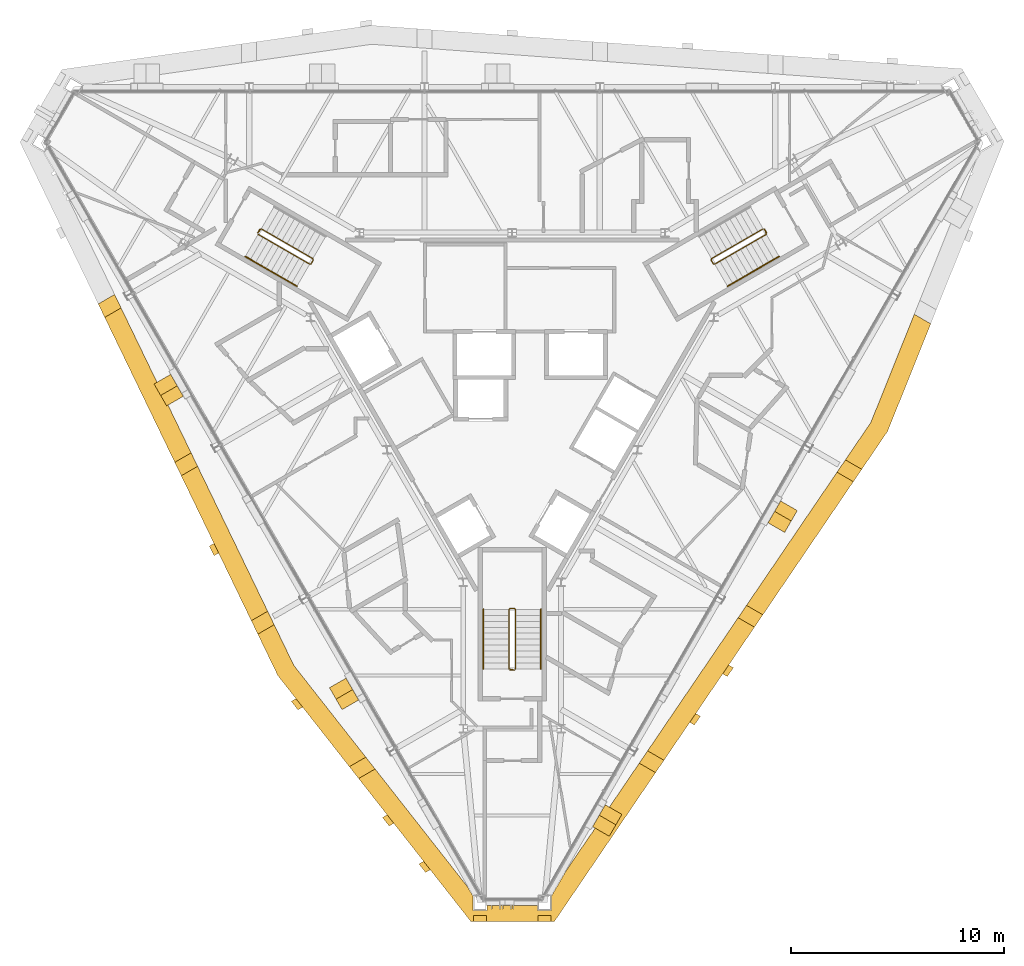
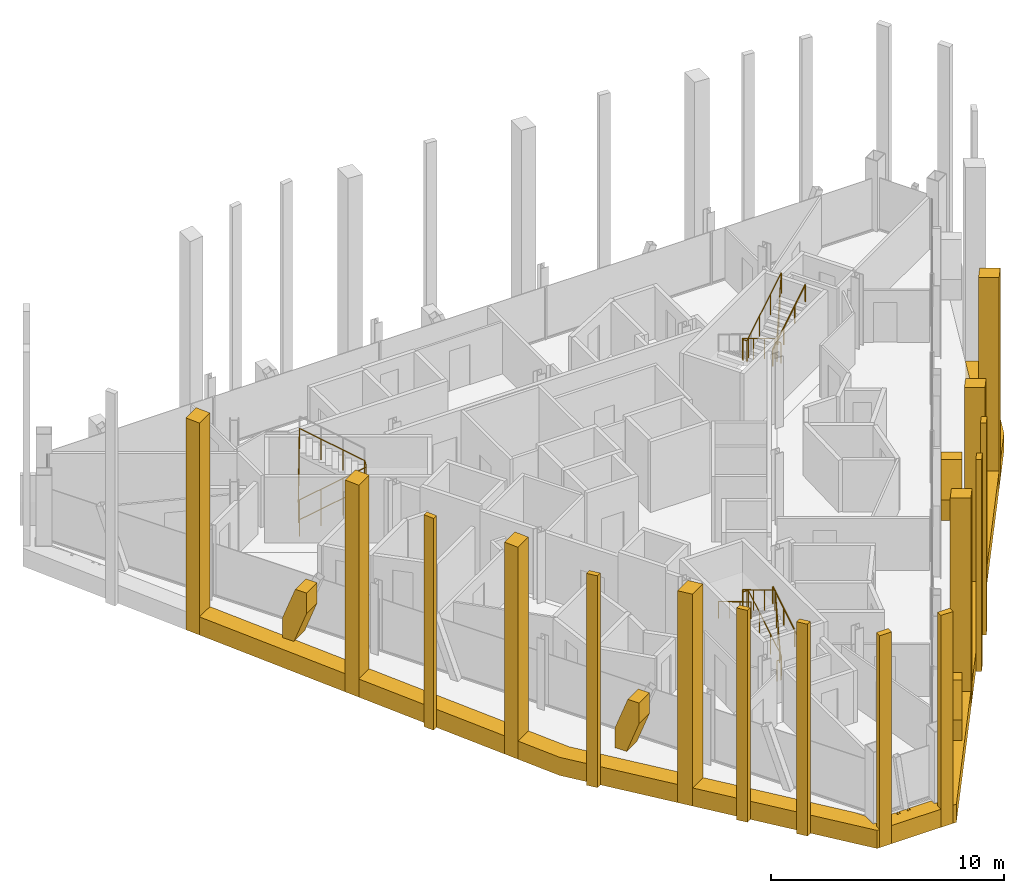
# One storey, part 14 of 15: 26 coverings, 7 railings.
"""IFC4 building model written with IfcOpenShell, lengths in metres."""

from ifc_helpers import new_model, si_unit, direction, frame, origin, origin_2d, place, context, subcontext, project, spatial, polyline, circle, outline, extrude, material, layer, layer_set, type_object, element, save


model = new_model("IFC4")

# Units and contexts
model_context = context("Model", 3, precision=1e-05, world=origin(), true_north=direction((0.0, 1.0)))
body_context = subcontext(model_context, "Body", "Model", "MODEL_VIEW")
ifc_project = project(units=[si_unit("LENGTHUNIT", "METRE"), si_unit("AREAUNIT", "SQUARE_METRE"), si_unit("VOLUMEUNIT", "CUBIC_METRE"), si_unit("PLANEANGLEUNIT", "RADIAN"), si_unit("MASSUNIT", "GRAM", prefix="KILO")], contexts=[model_context])

# Site, building, storey
site_placement = place(None, origin())
site = spatial("IfcSite", under=ifc_project, at=site_placement, CompositionType="ELEMENT")
building_placement = place(site_placement, origin())
building = spatial("IfcBuilding", under=site, at=building_placement, Name="Verrane Prism Tower", CompositionType="ELEMENT")
storey_placement = place(building_placement, frame((0.0, 0.0, 297.300048828125)))
storey = spatial("IfcBuildingStorey", under=building, at=storey_placement, Name="L75", CompositionType="ELEMENT", Elevation=297.300048828125)

# Railings
ifc_material_1 = material(Name="Steel A36 rail and posts, no infill", Category="steel")
railing_type_1 = type_object("IfcRailingType", Name="Stair guard 1100 steel rail and posts", PredefinedType="GUARDRAIL", material=ifc_material_1)
railing_1_placement = place(storey_placement, frame((11.78955078125, 6.97998046875, 0.168212890625)))
element("IfcRailing", 1, at=railing_1_placement, inside=storey, type_object=railing_type_1, Name="Stair 1 guard", PredefinedType="GUARDRAIL", context=body_context, shape_type="SweptSolid", body=[
    extrude(circle(Radius=0.02392578125, at=origin_2d()), frame((0.0, 0.0, 1.076171875), z_axis=(-0.742395268701, -0.428678701772, 0.514862928999), x_axis=(0.500049511043, -0.865996816683, 0.0)), (0.0, 0.0, 1.0), 3.26611328125),
    extrude(circle(Radius=0.02392578125, at=origin_2d()), frame((-2.4248046875, -1.400146484375, 2.7578125), z_axis=(-0.259601060869, -0.965715946433, 0.0), x_axis=(0.965715946433, -0.259601060869, 0.0)), (0.0, 0.0, 1.0), 0.070556640625),
    extrude(circle(Radius=0.02392578125, at=origin_2d()), frame((-2.443115234375, -1.46826171875, 2.7578125), z_axis=(0.499158860599, -0.866510491504, 0.0), x_axis=(0.866510491504, 0.499158860599, 0.0)), (0.0, 0.0, 1.0), 0.199951171875),
    extrude(circle(Radius=0.02392578125, at=origin_2d()), frame((-2.34326171875, -1.6416015625, 2.7578125), z_axis=(0.374585375571, -0.100335368456, 0.921747584887), x_axis=(0.258736085224, 0.965948051503, 0.0)), (0.0, 0.0, 1.0), 0.182373046875),
    extrude(circle(Radius=0.02392578125, at=origin_2d()), frame((-2.27490234375, -1.659912109375, 2.92578125), z_axis=(0.742366697286, 0.42866220388, 0.514917859203), x_axis=(-0.500049511043, 0.865996816683, 0.0)), (0.0, 0.0, 1.0), 3.266357421875),
    extrude(circle(Radius=0.02392578125, at=origin_2d()), frame((0.14990234375, -0.259765625, 4.60791015625), z_axis=(-0.021986835041, 0.065104730107, -0.997636182785), x_axis=(-0.947430582667, -0.3199613899, 0.0)), (0.0, 0.0, 1.0), 3.708740234375),
    extrude(circle(Radius=0.02392578125, at=origin_2d()), frame((0.068359375, -0.018310546875, 0.90771484375), z_axis=(0.499158860599, -0.866510491504, 0.0), x_axis=(0.866510491504, 0.499158860599, 0.0)), (0.0, 0.0, 1.0), 0.199951171875),
    extrude(circle(Radius=0.02099609375, at=origin_2d()), origin(), (0.0, 0.0, 1.0), 1.052001953125),
    extrude(circle(Radius=0.02099609375, at=origin_2d()), frame((-0.808349609375, -0.466796875, 0.560546875)), (0.0, 0.0, 1.0), 1.052001953125),
    extrude(circle(Radius=0.02099609375, at=origin_2d()), frame((-1.616455078125, -0.933349609375, 1.12109375)), (0.0, 0.0, 1.0), 1.052001953125),
    extrude(circle(Radius=0.02099609375, at=origin_2d()), frame((-2.4248046875, -1.400146484375, 1.681640625)), (0.0, 0.0, 1.0), 1.052001953125),
    extrude(circle(Radius=0.02099609375, at=origin_2d()), frame((-2.443115234375, -1.46826171875, 1.681640625)), (0.0, 0.0, 1.0), 1.052001953125),
    extrude(circle(Radius=0.02099609375, at=origin_2d()), frame((-2.34326171875, -1.6416015625, 1.681640625)), (0.0, 0.0, 1.0), 1.052001953125),
    extrude(circle(Radius=0.02099609375, at=origin_2d()), frame((-2.27490234375, -1.659912109375, 1.849853515625)), (0.0, 0.0, 1.0), 1.052001953125),
    extrude(circle(Radius=0.02099609375, at=origin_2d()), frame((-1.466552734375, -1.193115234375, 2.410400390625)), (0.0, 0.0, 1.0), 1.052001953125),
    extrude(circle(Radius=0.02099609375, at=origin_2d()), frame((-0.658447265625, -0.7265625, 2.97119140625)), (0.0, 0.0, 1.0), 1.052001953125),
    extrude(circle(Radius=0.02099609375, at=origin_2d()), frame((0.14990234375, -0.259765625, 3.53173828125)), (0.0, 0.0, 1.0), 1.052001953125),
    extrude(circle(Radius=0.02099609375, at=origin_2d()), frame((0.12939453125, -0.199462890625, 2.606689453125)), (0.0, 0.0, 1.0), 1.052001953125),
    extrude(circle(Radius=0.02099609375, at=origin_2d()), frame((0.109130859375, -0.13916015625, 1.681640625)), (0.0, 0.0, 1.0), 1.052001953125),
    extrude(circle(Radius=0.02099609375, at=origin_2d()), frame((0.0888671875, -0.07861328125, 0.7568359375)), (0.0, 0.0, 1.0), 1.052001953125),
    extrude(circle(Radius=0.02099609375, at=origin_2d()), frame((0.068359375, -0.018310546875, -0.168212890625)), (0.0, 0.0, 1.0), 1.052001953125),
    extrude(circle(Radius=0.02099609375, at=origin_2d()), frame((0.168212890625, -0.191650390625, -0.168212890625)), (0.0, 0.0, 1.0), 1.052001953125),
])
railing_2_placement = place(storey_placement, frame((-11.939453125, 6.72021484375, 0.168212890625)))
element("IfcRailing", 2, at=railing_2_placement, inside=storey, type_object=railing_type_1, Name="Stair 2 guard", PredefinedType="GUARDRAIL", context=body_context, shape_type="SweptSolid", body=[
    extrude(circle(Radius=0.02392578125, at=origin_2d()), frame((0.0, 0.0, 1.076171875), z_axis=(0.742395268701, -0.428678701772, 0.514862928999), x_axis=(0.500049511043, 0.865996816683, 0.0)), (0.0, 0.0, 1.0), 3.26611328125),
    extrude(circle(Radius=0.02392578125, at=origin_2d()), frame((2.4248046875, -1.400146484375, 2.7578125), z_axis=(0.965948051503, 0.258736085224, 0.0), x_axis=(-0.258736085224, 0.965948051503, 0.0)), (0.0, 0.0, 1.0), 0.07080078125),
    extrude(circle(Radius=0.02392578125, at=origin_2d()), frame((2.4931640625, -1.3818359375, 2.7578125), z_axis=(0.499158860599, 0.866510491504, 0.0), x_axis=(-0.866510491504, 0.499158860599, 0.0)), (0.0, 0.0, 1.0), 0.199951171875),
    extrude(circle(Radius=0.02392578125, at=origin_2d()), frame((2.593017578125, -1.20849609375, 2.7578125), z_axis=(-0.100385596638, 0.373434419493, 0.922209014446), x_axis=(-0.965715946433, -0.259601060869, 0.0)), (0.0, 0.0, 1.0), 0.182373046875),
    extrude(circle(Radius=0.02392578125, at=origin_2d()), frame((2.57470703125, -1.140380859375, 2.92578125), z_axis=(-0.742366697286, 0.42866220388, 0.514917859203), x_axis=(-0.500049511043, -0.865996816683, 0.0)), (0.0, 0.0, 1.0), 3.266357421875),
    extrude(circle(Radius=0.02392578125, at=origin_2d()), frame((0.14990234375, 0.259765625, 4.60791015625), z_axis=(-0.04535595117, -0.051675503147, -0.99763343973), x_axis=(0.751567565678, -0.659656118156, 0.0)), (0.0, 0.0, 1.0), 3.708740234375),
    extrude(circle(Radius=0.02392578125, at=origin_2d()), frame((-0.018310546875, 0.068115234375, 0.90771484375), z_axis=(0.499158860599, 0.866510491504, 0.0), x_axis=(-0.866510491504, 0.499158860599, 0.0)), (0.0, 0.0, 1.0), 0.199951171875),
    extrude(circle(Radius=0.02099609375, at=origin_2d()), origin(), (0.0, 0.0, 1.0), 1.052001953125),
    extrude(circle(Radius=0.02099609375, at=origin_2d()), frame((0.808349609375, -0.466796875, 0.560546875)), (0.0, 0.0, 1.0), 1.052001953125),
    extrude(circle(Radius=0.02099609375, at=origin_2d()), frame((1.616455078125, -0.933349609375, 1.12109375)), (0.0, 0.0, 1.0), 1.052001953125),
    extrude(circle(Radius=0.02099609375, at=origin_2d()), frame((2.4248046875, -1.400146484375, 1.681640625)), (0.0, 0.0, 1.0), 1.052001953125),
    extrude(circle(Radius=0.02099609375, at=origin_2d()), frame((2.4931640625, -1.3818359375, 1.681640625)), (0.0, 0.0, 1.0), 1.052001953125),
    extrude(circle(Radius=0.02099609375, at=origin_2d()), frame((2.593017578125, -1.20849609375, 1.681640625)), (0.0, 0.0, 1.0), 1.052001953125),
    extrude(circle(Radius=0.02099609375, at=origin_2d()), frame((2.57470703125, -1.140380859375, 1.849853515625)), (0.0, 0.0, 1.0), 1.052001953125),
    extrude(circle(Radius=0.02099609375, at=origin_2d()), frame((1.766357421875, -0.673583984375, 2.410400390625)), (0.0, 0.0, 1.0), 1.052001953125),
    extrude(circle(Radius=0.02099609375, at=origin_2d()), frame((0.958251953125, -0.20703125, 2.97119140625)), (0.0, 0.0, 1.0), 1.052001953125),
    extrude(circle(Radius=0.02099609375, at=origin_2d()), frame((0.14990234375, 0.259765625, 3.53173828125)), (0.0, 0.0, 1.0), 1.052001953125),
    extrude(circle(Radius=0.02099609375, at=origin_2d()), frame((0.10791015625, 0.2119140625, 2.606689453125)), (0.0, 0.0, 1.0), 1.052001953125),
    extrude(circle(Radius=0.02099609375, at=origin_2d()), frame((0.06591796875, 0.1640625, 1.681640625)), (0.0, 0.0, 1.0), 1.052001953125),
    extrude(circle(Radius=0.02099609375, at=origin_2d()), frame((0.023681640625, 0.115966796875, 0.7568359375)), (0.0, 0.0, 1.0), 1.052001953125),
    extrude(circle(Radius=0.02099609375, at=origin_2d()), frame((-0.018310546875, 0.068115234375, -0.168212890625)), (0.0, 0.0, 1.0), 1.052001953125),
    extrude(circle(Radius=0.02099609375, at=origin_2d()), frame((0.08154296875, 0.241455078125, -0.168212890625)), (0.0, 0.0, 1.0), 1.052001953125),
])
railing_3_placement = place(storey_placement, frame((0.14990234375, -13.699951171875, 0.168212890625)))
element("IfcRailing", 3, at=railing_3_placement, inside=storey, type_object=railing_type_1, Name="Stair 3 guard", PredefinedType="GUARDRAIL", context=body_context, shape_type="SweptSolid", body=[
    extrude(circle(Radius=0.02392578125, at=origin_2d()), frame((0.0, 0.0, 1.076171875), z_axis=(0.0, 0.857275202839, 0.514858452973), x_axis=(-1.0, 0.0, 0.0)), (0.0, 0.0, 1.0), 3.26611328125),
    extrude(circle(Radius=0.02392578125, at=origin_2d()), frame((0.0, 2.800048828125, 2.7578125), z_axis=(-0.707106781187, 0.707106781187, 0.0), x_axis=(-0.707106781187, -0.707106781187, 0.0)), (0.0, 0.0, 1.0), 0.0703125),
    extrude(circle(Radius=0.02392578125, at=origin_2d()), frame((-0.0498046875, 2.849853515625, 2.7578125), z_axis=(-1.0, 0.0, 0.0), x_axis=(0.0, -1.0, 0.0)), (0.0, 0.0, 1.0), 0.2001953125),
    extrude(circle(Radius=0.02392578125, at=origin_2d()), frame((-0.25, 2.849853515625, 2.7578125), z_axis=(-0.273106073848, -0.273106073848, 0.922402376869), x_axis=(0.707106781187, -0.707106781187, 0.0)), (0.0, 0.0, 1.0), 0.182373046875),
    extrude(circle(Radius=0.02392578125, at=origin_2d()), frame((-0.2998046875, 2.800048828125, 2.92578125), z_axis=(0.0, -0.857242210791, 0.514913383045), x_axis=(1.0, 0.0, 0.0)), (0.0, 0.0, 1.0), 3.266357421875),
    extrude(circle(Radius=0.02392578125, at=origin_2d()), frame((-0.2998046875, 0.0, 4.60791015625), z_axis=(0.067408604812, -0.013494886706, -0.997634185476), x_axis=(0.196300278283, 0.98054382908, 0.0)), (0.0, 0.0, 1.0), 3.708740234375),
    extrude(circle(Radius=0.02392578125, at=origin_2d()), frame((-0.0498046875, -0.050048828125, 0.90771484375), z_axis=(-1.0, 0.0, 0.0), x_axis=(0.0, -1.0, 0.0)), (0.0, 0.0, 1.0), 0.2001953125),
    extrude(circle(Radius=0.02099609375, at=origin_2d()), origin(), (0.0, 0.0, 1.0), 1.052001953125),
    extrude(circle(Radius=0.02099609375, at=origin_2d()), frame((0.0, 0.933349609375, 0.560546875)), (0.0, 0.0, 1.0), 1.052001953125),
    extrude(circle(Radius=0.02099609375, at=origin_2d()), frame((0.0, 1.86669921875, 1.12109375)), (0.0, 0.0, 1.0), 1.052001953125),
    extrude(circle(Radius=0.02099609375, at=origin_2d()), frame((0.0, 2.800048828125, 1.681640625)), (0.0, 0.0, 1.0), 1.052001953125),
    extrude(circle(Radius=0.02099609375, at=origin_2d()), frame((-0.0498046875, 2.849853515625, 1.681640625)), (0.0, 0.0, 1.0), 1.052001953125),
    extrude(circle(Radius=0.02099609375, at=origin_2d()), frame((-0.25, 2.849853515625, 1.681640625)), (0.0, 0.0, 1.0), 1.052001953125),
    extrude(circle(Radius=0.02099609375, at=origin_2d()), frame((-0.2998046875, 2.800048828125, 1.849853515625)), (0.0, 0.0, 1.0), 1.052001953125),
    extrude(circle(Radius=0.02099609375, at=origin_2d()), frame((-0.2998046875, 1.86669921875, 2.410400390625)), (0.0, 0.0, 1.0), 1.052001953125),
    extrude(circle(Radius=0.02099609375, at=origin_2d()), frame((-0.2998046875, 0.933349609375, 2.97119140625)), (0.0, 0.0, 1.0), 1.052001953125),
    extrude(circle(Radius=0.02099609375, at=origin_2d()), frame((-0.2998046875, 0.0, 3.53173828125)), (0.0, 0.0, 1.0), 1.052001953125),
    extrude(circle(Radius=0.02099609375, at=origin_2d()), frame((-0.2373046875, -0.012451171875, 2.606689453125)), (0.0, 0.0, 1.0), 1.052001953125),
    extrude(circle(Radius=0.02099609375, at=origin_2d()), frame((-0.1748046875, -0.02490234375, 1.681640625)), (0.0, 0.0, 1.0), 1.052001953125),
    extrude(circle(Radius=0.02099609375, at=origin_2d()), frame((-0.1123046875, -0.03759765625, 0.7568359375)), (0.0, 0.0, 1.0), 1.052001953125),
    extrude(circle(Radius=0.02099609375, at=origin_2d()), frame((-0.0498046875, -0.050048828125, -0.168212890625)), (0.0, 0.0, 1.0), 1.052001953125),
    extrude(circle(Radius=0.02099609375, at=origin_2d()), frame((-0.25, -0.050048828125, -0.168212890625)), (0.0, 0.0, 1.0), 1.052001953125),
])
ifc_material_2 = material(Name="Steel A36 tube", Category="steel")
railing_type_2 = type_object("IfcRailingType", Name="Stair handrail 900 steel tube", PredefinedType="HANDRAIL", material=ifc_material_2)
railing_4_placement = place(storey_placement, frame((10.11474609375, 4.28076171875, 2.01806640625)))
element("IfcRailing", 4, at=railing_4_placement, inside=storey, type_object=railing_type_2, Name="Stair 1 handrail", PredefinedType="HANDRAIL", context=body_context, shape_type="SweptSolid", body=[
    extrude(circle(Radius=0.02392578125, at=origin_2d()), frame((0.0, 0.0, 0.8759765625), z_axis=(0.742366697286, 0.42866220388, 0.514917859203), x_axis=(-0.500049511043, 0.865996816683, 0.0)), (0.0, 0.0, 1.0), 3.266357421875),
    extrude(circle(Radius=0.02099609375, at=origin_2d()), origin(), (0.0, 0.0, 1.0), 0.851806640625),
    extrude(circle(Radius=0.02099609375, at=origin_2d()), frame((0.808349609375, 0.466796875, 0.560546875)), (0.0, 0.0, 1.0), 0.851806640625),
    extrude(circle(Radius=0.02099609375, at=origin_2d()), frame((1.616455078125, 0.933349609375, 1.121337890625)), (0.0, 0.0, 1.0), 0.851806640625),
    extrude(circle(Radius=0.02099609375, at=origin_2d()), frame((2.4248046875, 1.400146484375, 1.681884765625)), (0.0, 0.0, 1.0), 0.851806640625),
])
railing_5_placement = place(storey_placement, frame((-12.53955078125, 5.680908203125, 0.168212890625)))
element("IfcRailing", 5, at=railing_5_placement, inside=storey, type_object=railing_type_2, Name="Stair 2 handrail", PredefinedType="HANDRAIL", context=body_context, shape_type="SweptSolid", body=[
    extrude(circle(Radius=0.02392578125, at=origin_2d()), frame((0.0, 0.0, 0.8759765625), z_axis=(0.742395268701, -0.428678701772, 0.514862928999), x_axis=(0.500049511043, 0.865996816683, 0.0)), (0.0, 0.0, 1.0), 3.26611328125),
    extrude(circle(Radius=0.02099609375, at=origin_2d()), origin(), (0.0, 0.0, 1.0), 0.851806640625),
    extrude(circle(Radius=0.02099609375, at=origin_2d()), frame((0.808349609375, -0.466796875, 0.560546875)), (0.0, 0.0, 1.0), 0.851806640625),
    extrude(circle(Radius=0.02099609375, at=origin_2d()), frame((1.616455078125, -0.933349609375, 1.12109375)), (0.0, 0.0, 1.0), 0.851806640625),
    extrude(circle(Radius=0.02099609375, at=origin_2d()), frame((2.4248046875, -1.400146484375, 1.681640625)), (0.0, 0.0, 1.0), 0.851806640625),
])
railing_6_placement = place(storey_placement, frame((1.35009765625, -13.699951171875, 0.168212890625)))
element("IfcRailing", 6, at=railing_6_placement, inside=storey, type_object=railing_type_2, Name="Stair 3 handrail", PredefinedType="HANDRAIL", context=body_context, shape_type="SweptSolid", body=[
    extrude(circle(Radius=0.02392578125, at=origin_2d()), frame((0.0, 0.0, 0.8759765625), z_axis=(0.0, 0.857275202839, 0.514858452973), x_axis=(-1.0, 0.0, 0.0)), (0.0, 0.0, 1.0), 3.26611328125),
    extrude(circle(Radius=0.02099609375, at=origin_2d()), origin(), (0.0, 0.0, 1.0), 0.851806640625),
    extrude(circle(Radius=0.02099609375, at=origin_2d()), frame((0.0, 0.933349609375, 0.560546875)), (0.0, 0.0, 1.0), 0.851806640625),
    extrude(circle(Radius=0.02099609375, at=origin_2d()), frame((0.0, 1.86669921875, 1.12109375)), (0.0, 0.0, 1.0), 0.851806640625),
    extrude(circle(Radius=0.02099609375, at=origin_2d()), frame((0.0, 2.800048828125, 1.681640625)), (0.0, 0.0, 1.0), 0.851806640625),
])
railing_7_placement = place(storey_placement, frame((-1.35009765625, -10.89990234375, 2.01806640625)))
element("IfcRailing", 7, at=railing_7_placement, inside=storey, type_object=railing_type_2, Name="Stair 3 handrail", PredefinedType="HANDRAIL", context=body_context, shape_type="SweptSolid", body=[
    extrude(circle(Radius=0.02392578125, at=origin_2d()), frame((0.0, 0.0, 0.8759765625), z_axis=(0.0, -0.857242210791, 0.514913383045), x_axis=(1.0, 0.0, 0.0)), (0.0, 0.0, 1.0), 3.266357421875),
    extrude(circle(Radius=0.02099609375, at=origin_2d()), origin(), (0.0, 0.0, 1.0), 0.851806640625),
    extrude(circle(Radius=0.02099609375, at=origin_2d()), frame((0.0, -0.933349609375, 0.560546875)), (0.0, 0.0, 1.0), 0.851806640625),
    extrude(circle(Radius=0.02099609375, at=origin_2d()), frame((0.0, -1.86669921875, 1.121337890625)), (0.0, 0.0, 1.0), 0.851806640625),
    extrude(circle(Radius=0.02099609375, at=origin_2d()), frame((0.0, -2.800048828125, 1.681884765625)), (0.0, 0.0, 1.0), 0.851806640625),
])

# Coverings
ifc_material_3 = material(Name="Warm limestone cladding", Category="masonry")
ifc_layer_1 = layer(ifc_material_3, 0.89990234375)
ifc_layer_set_1 = layer_set([ifc_layer_1], Name="Stone brace fin 900")
covering_type_1 = type_object("IfcCoveringType", Name="Stone brace fin 900", PredefinedType="CLADDING", material=ifc_layer_set_1)
for number, where, z_axis, x_axis, name in (
    (8, (-16.43701171875, -0.084716796875, 0.0), (0.0, 0.0, 1.0), (0.499657156181, -0.866223254293, 0.0), "Stone brace fin SW2 L75"),
    (9, (-8.197021484375, -14.354736328125, 0.0), (0.0, 0.0, 1.0), (0.499657156181, -0.866223254293, 0.0), "Stone brace fin SW4 L75"),
    (10, (4.17041015625, -21.332763671875, 0.0), (0.0, 0.0, 1.0), (0.499811481546, 0.86613421761, 0.0), "Stone brace fin SE1 L75"),
):
    element("IfcCovering", number, at=place(storey_placement, frame(where, z_axis=z_axis, x_axis=x_axis)), inside=storey, type_object=covering_type_1, Name=name, PredefinedType="CLADDING", context=body_context, shape_type="SweptSolid", body=[
        extrude(outline(polyline([(1.18701171875, 2.75), (0.62158203125, 2.75), (0.0, 1.075927734375), (0.0, 0.0), (0.560546875, 0.0), (1.18701171875, 1.686767578125), (1.18701171875, 2.75)])), frame((0.0, 0.449951171875, 0.0), z_axis=(0.0, -1.0, 0.0), x_axis=(1.0, 0.0, 0.0)), (0.0, 0.0, 1.0), 0.89990234375),
    ])
covering_1_placement = place(storey_placement, frame((12.410400390625, -7.05810546875, 0.0), z_axis=(0.0, 0.0, 1.0), x_axis=(0.500281029295, 0.865863090637, 0.0)))
element("IfcCovering", 11, at=covering_1_placement, inside=storey, type_object=covering_type_1, Name="Stone brace fin SE3 L75", PredefinedType="CLADDING", context=body_context, shape_type="SweptSolid", body=[
    extrude(outline(polyline([(1.185546875, 2.75), (0.62060546875, 2.75), (0.0, 1.0771484375), (0.0, 0.0), (0.560302734375, 0.0), (1.185546875, 1.685546875), (1.185546875, 2.75)])), frame((0.0, 0.449951171875, 0.0), z_axis=(0.0, -1.0, 0.0), x_axis=(1.0, 0.0, 0.0)), (0.0, 0.0, 1.0), 0.89990234375),
])
ifc_material_4 = material(Name="Warm limestone cladding", Category="masonry")
covering_type_2 = type_object("IfcCoveringType", Name="Stone corner pier 600", PredefinedType="CLADDING", material=ifc_material_4)
covering_2_placement = place(storey_placement, frame((0.0, 0.0, -0.949951171875)))
element("IfcCovering", 12, at=covering_2_placement, inside=storey, type_object=covering_type_2, Name="Stone pier MC-S.a L75-L77", PredefinedType="CLADDING", context=body_context, shape_type="SweptSolid", body=[
    extrude(outline(polyline([(-1.218994140625, -25.26904296875), (-1.819091796875, -25.26904296875), (-1.819091796875, -25.5537109375), (-1.218994140625, -25.5537109375), (-1.218994140625, -25.26904296875)])), origin(), (0.0, 0.0, 1.0), 11.099853515625),
])
covering_3_placement = place(storey_placement, frame((0.0, 0.0, -0.949951171875)))
element("IfcCovering", 13, at=covering_3_placement, inside=storey, type_object=covering_type_2, Name="Stone pier MC-S.b L75-L77", PredefinedType="CLADDING", context=body_context, shape_type="SweptSolid", body=[
    extrude(outline(polyline([(1.819091796875, -25.26904296875), (1.218994140625, -25.26904296875), (1.218994140625, -25.5537109375), (1.819091796875, -25.5537109375), (1.819091796875, -25.26904296875)])), origin(), (0.0, 0.0, 1.0), 11.099853515625),
])
ifc_material_5 = material(Name="Warm limestone cladding", Category="masonry")
covering_type_3 = type_object("IfcCoveringType", Name="Stone mullion pier 500", PredefinedType="CLADDING", material=ifc_material_5)
covering_4_placement = place(storey_placement, frame((0.0, 0.0, -0.949951171875)))
element("IfcCovering", 14, at=covering_4_placement, inside=storey, type_object=covering_type_3, Name="Stone pier SM-SW2.1 L75-L77", PredefinedType="CLADDING", context=body_context, shape_type="SweptSolid", body=[
    extrude(outline(polyline([(-13.792724609375, -8.251953125), (-14.0107421875, -7.800537109375), (-14.227783203125, -7.92578125), (-14.009765625, -8.377197265625), (-13.792724609375, -8.251953125)])), origin(), (0.0, 0.0, 1.0), 11.099853515625),
])
covering_5_placement = place(storey_placement, frame((0.0, 0.0, -0.949951171875)))
element("IfcCovering", 15, at=covering_5_placement, inside=storey, type_object=covering_type_3, Name="Stone pier SM-SW3.1 L75-L77", PredefinedType="CLADDING", context=body_context, shape_type="SweptSolid", body=[
    extrude(outline(polyline([(-9.8466796875, -15.490478515625), (-10.15869140625, -15.09326171875), (-10.377197265625, -15.219482421875), (-10.0654296875, -15.61669921875), (-9.8466796875, -15.490478515625)])), origin(), (0.0, 0.0, 1.0), 11.099853515625),
])
covering_6_placement = place(storey_placement, frame((0.0, 0.0, -0.949951171875)))
element("IfcCovering", 16, at=covering_6_placement, inside=storey, type_object=covering_type_3, Name="Stone pier SM-SW4.1 L75-L77", PredefinedType="CLADDING", context=body_context, shape_type="SweptSolid", body=[
    extrude(outline(polyline([(-5.563720703125, -20.9482421875), (-5.87548828125, -20.551025390625), (-6.09423828125, -20.67724609375), (-5.7822265625, -21.07470703125), (-5.563720703125, -20.9482421875)])), origin(), (0.0, 0.0, 1.0), 11.099853515625),
])
covering_7_placement = place(storey_placement, frame((0.0, 0.0, -0.949951171875)))
element("IfcCovering", 17, at=covering_7_placement, inside=storey, type_object=covering_type_3, Name="Stone pier SM-SW4.2 L75-L77", PredefinedType="CLADDING", context=body_context, shape_type="SweptSolid", body=[
    extrude(outline(polyline([(-3.850341796875, -23.13134765625), (-4.162109375, -22.734130859375), (-4.380859375, -22.8603515625), (-4.069091796875, -23.2578125), (-3.850341796875, -23.13134765625)])), origin(), (0.0, 0.0, 1.0), 11.099853515625),
])
covering_8_placement = place(storey_placement, frame((0.0, 0.0, -0.949951171875)))
element("IfcCovering", 18, at=covering_8_placement, inside=storey, type_object=covering_type_3, Name="Stone pier SM-SE1.1 L75-L77", PredefinedType="CLADDING", context=body_context, shape_type="SweptSolid", body=[
    extrude(outline(polyline([(8.62255859375, -15.79248046875), (8.3408203125, -16.207275390625), (8.557861328125, -16.33251953125), (8.839599609375, -15.91796875), (8.62255859375, -15.79248046875)])), origin(), (0.0, 0.0, 1.0), 11.099853515625),
])
covering_9_placement = place(storey_placement, frame((0.0, 0.0, -0.949951171875)))
element("IfcCovering", 19, at=covering_9_placement, inside=storey, type_object=covering_type_3, Name="Stone pier SM-SE1.2 L75-L77", PredefinedType="CLADDING", context=body_context, shape_type="SweptSolid", body=[
    extrude(outline(polyline([(10.171142578125, -13.514404296875), (9.889404296875, -13.928955078125), (10.1064453125, -14.05419921875), (10.38818359375, -13.6396484375), (10.171142578125, -13.514404296875)])), origin(), (0.0, 0.0, 1.0), 11.099853515625),
])
ifc_material_6 = material(Name="Warm limestone cladding", Category="masonry")
covering_type_4 = type_object("IfcCoveringType", Name="Stone pier 700", PredefinedType="CLADDING", material=ifc_material_6)
covering_10_placement = place(storey_placement, frame((0.0, 0.0, -0.949951171875)))
element("IfcCovering", 20, at=covering_10_placement, inside=storey, type_object=covering_type_4, Name="Stone pier PC-SW1 L75-L77", PredefinedType="CLADDING", context=body_context, shape_type="SweptSolid", body=[
    extrude(outline(polyline([(-19.14306640625, 2.81884765625), (-18.374755859375, 3.262451171875), (-18.68017578125, 3.894287109375), (-19.448486328125, 3.45068359375), (-19.14306640625, 2.81884765625)])), origin(), (0.0, 0.0, 1.0), 11.099853515625),
])
covering_11_placement = place(storey_placement, frame((0.0, 0.0, -0.949951171875)))
element("IfcCovering", 21, at=covering_11_placement, inside=storey, type_object=covering_type_4, Name="Stone pier PC-SW2 L75-L77", PredefinedType="CLADDING", context=body_context, shape_type="SweptSolid", body=[
    extrude(outline(polyline([(-15.547119140625, -4.621826171875), (-14.77880859375, -4.17822265625), (-15.084228515625, -3.54638671875), (-15.8525390625, -3.989990234375), (-15.547119140625, -4.621826171875)])), origin(), (0.0, 0.0, 1.0), 11.099853515625),
])
covering_12_placement = place(storey_placement, frame((0.0, 0.0, -0.949951171875)))
element("IfcCovering", 22, at=covering_12_placement, inside=storey, type_object=covering_type_4, Name="Stone pier PC-SW3 L75-L77", PredefinedType="CLADDING", context=body_context, shape_type="SweptSolid", body=[
    extrude(outline(polyline([(-11.950927734375, -12.0625), (-11.1826171875, -11.618896484375), (-11.488037109375, -10.98681640625), (-12.256591796875, -11.430419921875), (-11.950927734375, -12.0625)])), origin(), (0.0, 0.0, 1.0), 11.099853515625),
])
covering_13_placement = place(storey_placement, frame((0.0, 0.0, -0.949951171875)))
element("IfcCovering", 23, at=covering_13_placement, inside=storey, type_object=covering_type_4, Name="Stone pier PC-SW4 L75-L77", PredefinedType="CLADDING", context=body_context, shape_type="SweptSolid", body=[
    extrude(outline(polyline([(-7.214599609375, -18.8447265625), (-6.4404296875, -18.397705078125), (-6.876953125, -17.841552734375), (-7.651123046875, -18.288330078125), (-7.214599609375, -18.8447265625)])), origin(), (0.0, 0.0, 1.0), 11.099853515625),
])
covering_14_placement = place(storey_placement, frame((0.0, 0.0, -0.949951171875)))
element("IfcCovering", 24, at=covering_14_placement, inside=storey, type_object=covering_type_4, Name="Stone pier PC-SE1 L75-L77", PredefinedType="CLADDING", context=body_context, shape_type="SweptSolid", body=[
    extrude(outline(polyline([(7.13037109375, -17.98779296875), (6.362060546875, -17.544189453125), (5.967529296875, -18.124755859375), (6.73583984375, -18.568359375), (7.13037109375, -17.98779296875)])), origin(), (0.0, 0.0, 1.0), 11.099853515625),
])
covering_15_placement = place(storey_placement, frame((0.0, 0.0, -0.949951171875)))
element("IfcCovering", 25, at=covering_15_placement, inside=storey, type_object=covering_type_4, Name="Stone pier PC-SE2 L75-L77", PredefinedType="CLADDING", context=body_context, shape_type="SweptSolid", body=[
    extrude(outline(polyline([(11.776123046875, -11.1533203125), (11.0078125, -10.709716796875), (10.61328125, -11.2900390625), (11.381591796875, -11.733642578125), (11.776123046875, -11.1533203125)])), origin(), (0.0, 0.0, 1.0), 11.099853515625),
])
covering_16_placement = place(storey_placement, frame((0.0, 0.0, -0.949951171875)))
element("IfcCovering", 26, at=covering_16_placement, inside=storey, type_object=covering_type_4, Name="Stone pier PC-SE3 L75-L77", PredefinedType="CLADDING", context=body_context, shape_type="SweptSolid", body=[
    extrude(outline(polyline([(16.421875, -4.318603515625), (15.653564453125, -3.875), (15.259033203125, -4.45556640625), (16.02734375, -4.899169921875), (16.421875, -4.318603515625)])), origin(), (0.0, 0.0, 1.0), 11.099853515625),
])
ifc_material_7 = material(Name="Warm limestone cladding", Category="masonry")
ifc_layer_2 = layer(ifc_material_7, 0.449951171875)
ifc_layer_set_2 = layer_set([ifc_layer_2], Name="Stone spandrel band 450")
covering_type_5 = type_object("IfcCoveringType", Name="Stone spandrel band 450", PredefinedType="CLADDING", material=ifc_layer_set_2)
covering_17_placement = place(storey_placement, frame((0.0, 0.0, -0.949951171875)))
element("IfcCovering", 27, at=covering_17_placement, inside=storey, type_object=covering_type_5, Name="Stone spandrel band L75 part 1", PredefinedType="CLADDING", context=body_context, shape_type="SweptSolid", body=[
    extrude(outline(polyline([(1.9873046875, -25.5537109375), (6.73583984375, -18.568359375), (5.967529296875, -18.124755859375), (3.78955078125, -21.328857421875), (3.793212890625, -21.330810546875), (3.73193359375, -21.43701171875), (3.720458984375, -21.430419921875), (2.541259765625, -23.165283203125), (1.85009765625, -24.3623046875), (1.85009765625, -25.050048828125), (1.18994140625, -25.050048828125), (1.18994140625, -24.802490234375), (0.070068359375, -24.802490234375), (0.070068359375, -24.969970703125), (0.04052734375, -24.969970703125), (0.04052734375, -24.802490234375), (-0.04052734375, -24.802490234375), (-0.04052734375, -24.969970703125), (-0.08740234375, -24.969970703125), (-0.08740234375, -24.802490234375), (-0.4365234375, -24.802490234375), (-0.4365234375, -24.969970703125), (-0.466064453125, -24.969970703125), (-0.466064453125, -24.802490234375), (-0.547119140625, -24.802490234375), (-0.547119140625, -24.969970703125), (-0.593994140625, -24.969970703125), (-0.593994140625, -24.802490234375), (-0.943359375, -24.802490234375), (-0.943359375, -24.969970703125), (-0.972900390625, -24.969970703125), (-0.972900390625, -24.802490234375), (-1.18994140625, -24.802490234375), (-1.18994140625, -25.050048828125), (-1.85009765625, -25.050048828125), (-1.85009765625, -24.3623046875), (-2.1015625, -23.9267578125), (-6.4404296875, -18.397705078125), (-7.214599609375, -18.8447265625), (-1.949462890625, -25.5537109375), (-1.819091796875, -25.5537109375), (-1.819091796875, -25.26904296875), (-1.218994140625, -25.26904296875), (-1.218994140625, -25.5537109375), (1.218994140625, -25.5537109375), (1.218994140625, -25.26904296875), (1.819091796875, -25.26904296875), (1.819091796875, -25.5537109375), (1.9873046875, -25.5537109375)])), origin(), (0.0, 0.0, 1.0), 0.949951171875),
])
covering_18_placement = place(storey_placement, frame((0.0, 0.0, -0.949951171875)))
element("IfcCovering", 28, at=covering_18_placement, inside=storey, type_object=covering_type_5, Name="Stone spandrel band L75 part 4", PredefinedType="CLADDING", context=body_context, shape_type="SweptSolid", body=[
    extrude(outline(polyline([(-15.8525390625, -3.989990234375), (-15.084228515625, -3.54638671875), (-18.374755859375, 3.262451171875), (-19.14306640625, 2.81884765625), (-15.8525390625, -3.989990234375)])), origin(), (0.0, 0.0, 1.0), 0.949951171875),
])
covering_19_placement = place(storey_placement, frame((0.0, 0.0, -0.949951171875)))
element("IfcCovering", 29, at=covering_19_placement, inside=storey, type_object=covering_type_5, Name="Stone spandrel band L75 part 5", PredefinedType="CLADDING", context=body_context, shape_type="SweptSolid", body=[
    extrude(outline(polyline([(-11.488037109375, -10.98681640625), (-14.77880859375, -4.17822265625), (-15.547119140625, -4.621826171875), (-12.256591796875, -11.430419921875), (-11.488037109375, -10.98681640625)])), origin(), (0.0, 0.0, 1.0), 0.949951171875),
])
covering_20_placement = place(storey_placement, frame((0.0, 0.0, -0.949951171875)))
element("IfcCovering", 30, at=covering_20_placement, inside=storey, type_object=covering_type_5, Name="Stone spandrel band L75 part 6", PredefinedType="CLADDING", context=body_context, shape_type="SweptSolid", body=[
    extrude(outline(polyline([(-6.876953125, -17.841552734375), (-10.256591796875, -13.53515625), (-11.1826171875, -11.618896484375), (-11.950927734375, -12.0625), (-11.01171875, -14.006103515625), (-7.651123046875, -18.288330078125), (-6.876953125, -17.841552734375)])), origin(), (0.0, 0.0, 1.0), 0.949951171875),
])
covering_21_placement = place(storey_placement, frame((0.0, 0.0, -0.949951171875)))
element("IfcCovering", 31, at=covering_21_placement, inside=storey, type_object=covering_type_5, Name="Stone spandrel band L75 part 7", PredefinedType="CLADDING", context=body_context, shape_type="SweptSolid", body=[
    extrude(outline(polyline([(10.61328125, -11.2900390625), (6.362060546875, -17.544189453125), (7.13037109375, -17.98779296875), (11.381591796875, -11.733642578125), (10.61328125, -11.2900390625)])), origin(), (0.0, 0.0, 1.0), 0.949951171875),
])
covering_22_placement = place(storey_placement, frame((0.0, 0.0, -0.949951171875)))
element("IfcCovering", 32, at=covering_22_placement, inside=storey, type_object=covering_type_5, Name="Stone spandrel band L75 part 8", PredefinedType="CLADDING", context=body_context, shape_type="SweptSolid", body=[
    extrude(outline(polyline([(16.02734375, -4.899169921875), (15.259033203125, -4.45556640625), (11.0078125, -10.709716796875), (11.776123046875, -11.1533203125), (16.02734375, -4.899169921875)])), origin(), (0.0, 0.0, 1.0), 0.949951171875),
])
covering_23_placement = place(storey_placement, frame((0.0, 0.0, -0.949951171875)))
element("IfcCovering", 33, at=covering_23_placement, inside=storey, type_object=covering_type_5, Name="Stone spandrel band L75 part 9", PredefinedType="CLADDING", context=body_context, shape_type="SweptSolid", body=[
    extrude(outline(polyline([(19.663818359375, 2.518310546875), (18.8896484375, 2.965087890625), (16.85009765625, -2.114990234375), (15.653564453125, -3.875), (16.421875, -4.318603515625), (17.635498046875, -2.533203125), (19.663818359375, 2.518310546875)])), origin(), (0.0, 0.0, 1.0), 0.949951171875),
])

save(model, "model.ifc")
